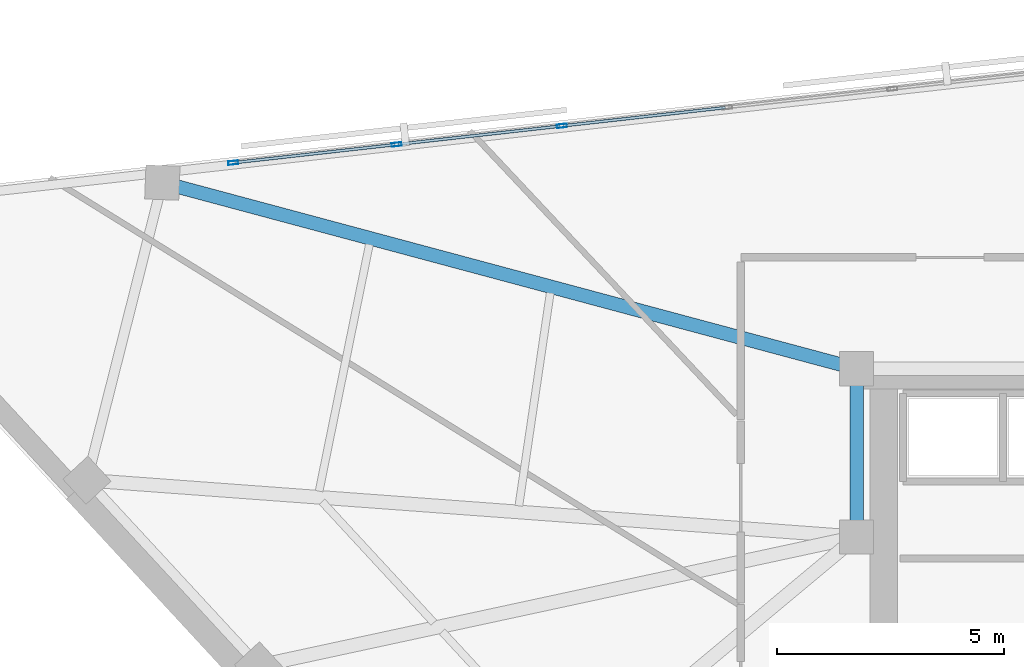
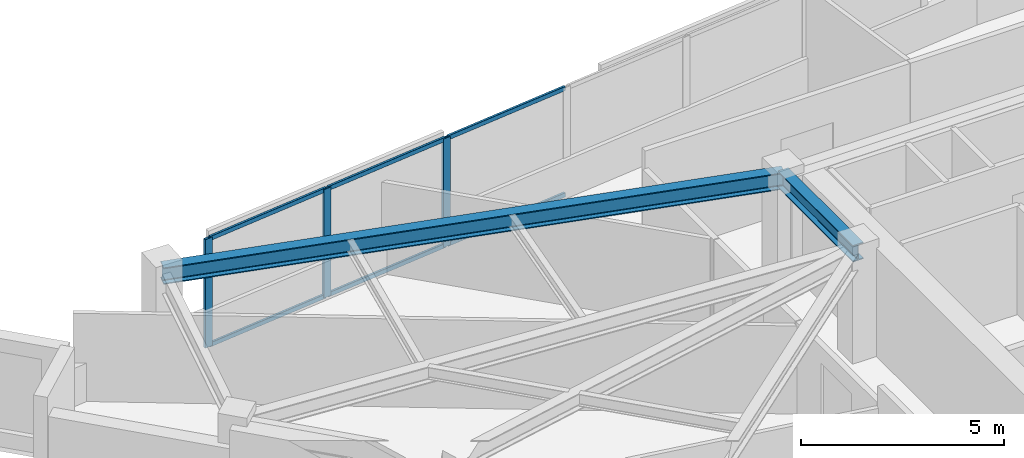
# One storey, part 2 of 11: 9 members, 2 beams, 1 element without a shape of its own.
"""IFC4 building model written with IfcOpenShell, lengths in metres."""

from ifc_helpers import new_model, si_unit, direction, frame, origin, origin_2d, place, context, subcontext, project, spatial, hollow_rectangle, i_section, extrude, material, material_profile, profile_set, type_object, element, aggregate, save


model = new_model("IFC4")

# Units and contexts
model_context = context("Model", 3, precision=1e-05, world=origin(), true_north=direction((0.0, 1.0)))
body_context = subcontext(model_context, "Body", "Model", "MODEL_VIEW")
ifc_project = project(units=[si_unit("LENGTHUNIT", "METRE"), si_unit("AREAUNIT", "SQUARE_METRE"), si_unit("VOLUMEUNIT", "CUBIC_METRE"), si_unit("PLANEANGLEUNIT", "RADIAN"), si_unit("MASSUNIT", "GRAM", prefix="KILO")], contexts=[model_context])

# Site, building, storey
site_placement = place(None, origin())
site = spatial("IfcSite", under=ifc_project, at=site_placement, CompositionType="ELEMENT")
building_placement = place(site_placement, origin())
building = spatial("IfcBuilding", under=site, at=building_placement, Name="Narakoshi Arena Tower", CompositionType="ELEMENT")
storey_placement = place(building_placement, frame((0.0, 0.0, 285.3798828125)))
storey = spatial("IfcBuildingStorey", under=building, at=storey_placement, Name="L78", CompositionType="ELEMENT", Elevation=285.3798828125)

# Beams
ifc_material_1 = material(Name="Structural steel S355J2", Category="steel")
ifc_material_profile_1 = material_profile(ifc_material_1, i_section(OverallWidth=0.300048828125, OverallDepth=0.5, WebThickness=0.014404296875, FlangeThickness=0.028076171875, FilletRadius=0.027099609375, at=origin_2d()), Name="HE500B")
ifc_profile_set_1 = profile_set([ifc_material_profile_1], Name="Structural steel S355J2")
beam_type = type_object("IfcBeamType", Name="BM-PRI-500", PredefinedType="BEAM", material=ifc_profile_set_1)
beam_1_placement = place(storey_placement, frame((72.0, 56.5, 3.010009765625), z_axis=(-0.965877018817, 0.259001128418, 0.0), x_axis=(-0.259001128418, -0.965877018817, 0.0)))
element("IfcBeam", 1, at=beam_1_placement, inside=storey, type_object=beam_type, Name="L78 Radial Primary Floor Girder 08", PredefinedType="BEAM", context=body_context, shape_type="SweptSolid", body=[
    extrude(i_section(OverallWidth=0.300048828125, OverallDepth=0.5, WebThickness=0.014404296875, FlangeThickness=0.028076171875, FilletRadius=0.027099609375, at=origin_2d()), origin(), (0.0, 0.0, 1.0), 15.822998046875),
])
beam_2_placement = place(storey_placement, frame((72.0, 52.800048828125, 3.010009765625), z_axis=(0.0, 1.0, 0.0), x_axis=(-1.0, 0.0, 0.0)))
element("IfcBeam", 2, at=beam_2_placement, inside=storey, type_object=beam_type, Name="L78 Core Perimeter Frame Beam CC4-CC5", PredefinedType="BEAM", context=body_context, shape_type="SweptSolid", body=[
    extrude(i_section(OverallWidth=0.300048828125, OverallDepth=0.5, WebThickness=0.014404296875, FlangeThickness=0.028076171875, FilletRadius=0.027099609375, at=origin_2d()), origin(), (0.0, 0.0, 1.0), 3.699951171875),
])

# Curtain wall, members
ifc_material_2 = material(Name="Anodised bronze aluminium 6063-T6", Category="aluminium")
curtain_wall_type = type_object("IfcCurtainWallType", Name="CW-HYP-HIGH", PredefinedType="NOTDEFINED", material=ifc_material_2)
curtain_wall_placement = place(storey_placement, origin())
curtain_wall = element("IfcCurtainWall", 3, at=curtain_wall_placement, inside=storey, type_object=curtain_wall_type, Name="L78 Folded Hypotenuse Curtain Wall 2-1", PredefinedType="NOTDEFINED")
ifc_material_profile_2 = material_profile(ifc_material_2, hollow_rectangle(XDim=0.080078125, YDim=0.219970703125, WallThickness=0.0048828125, OuterFilletRadius=0.006103515625, at=origin_2d()), Name="MUL220x80x5")
ifc_profile_set_2 = profile_set([ifc_material_profile_2], Name="Anodised bronze aluminium 6063-T6")
member_type_1 = type_object("IfcMemberType", Name="MEM-MUL-220", PredefinedType="MULLION", material=ifc_profile_set_2)
member_1_placement = place(storey_placement, frame((65.51123046875, 61.845458984375, 0.0), z_axis=(0.0, 0.0, 1.0), x_axis=(0.111396496086, -0.9937760415, 0.0)))
member_1 = element("IfcMember", 4, at=member_1_placement, type_object=member_type_1, Name="CW-03 mullion 5", PredefinedType="MULLION", context=body_context, shape_type="SweptSolid", body=[
    extrude(hollow_rectangle(XDim=0.080078125, YDim=0.219970703125, WallThickness=0.0048828125, OuterFilletRadius=0.006103515625, at=origin_2d()), origin(), (0.0, 0.0, 1.0), 3.260009765625),
])
member_2_placement = place(storey_placement, frame((61.873779296875, 61.437744140625, 0.0), z_axis=(0.0, 0.0, 1.0), x_axis=(0.111396496086, -0.9937760415, 0.0)))
member_2 = element("IfcMember", 5, at=member_2_placement, type_object=member_type_1, Name="CW-03 mullion 6", PredefinedType="MULLION", context=body_context, shape_type="SweptSolid", body=[
    extrude(hollow_rectangle(XDim=0.080078125, YDim=0.219970703125, WallThickness=0.0048828125, OuterFilletRadius=0.006103515625, at=origin_2d()), origin(), (0.0, 0.0, 1.0), 3.260009765625),
])
member_3_placement = place(storey_placement, frame((58.27587890625, 61.034423828125, 0.0), z_axis=(0.0, 0.0, 1.0), x_axis=(0.111396496086, -0.9937760415, 0.0)))
member_3 = element("IfcMember", 6, at=member_3_placement, type_object=member_type_1, Name="CW-03 mullion 7", PredefinedType="MULLION", context=body_context, shape_type="SweptSolid", body=[
    extrude(hollow_rectangle(XDim=0.080078125, YDim=0.219970703125, WallThickness=0.0048828125, OuterFilletRadius=0.006103515625, at=origin_2d()), origin(), (0.0, 0.0, 1.0), 3.260009765625),
])
ifc_material_profile_3 = material_profile(ifc_material_2, hollow_rectangle(XDim=0.06494140625, YDim=0.1298828125, WallThickness=0.00390625, OuterFilletRadius=0.0048828125, at=origin_2d()), Name="TRN130x65x4")
ifc_profile_set_3 = profile_set([ifc_material_profile_3], Name="Anodised bronze aluminium 6063-T6")
member_type_2 = type_object("IfcMemberType", Name="MEM-TRN-130", PredefinedType="USERDEFINED", material=ifc_profile_set_3)
member_4_placement = place(storey_placement, frame((69.109130859375, 62.248779296875, 0.03271484375), z_axis=(-0.99377347748, -0.111419367518, 0.0), x_axis=(0.111419367518, -0.99377347748, 0.0)))
member_4 = element("IfcMember", 7, at=member_4_placement, type_object=member_type_2, Name="CW-03 transom 4.1", ObjectType="TRANSOM", PredefinedType="USERDEFINED", context=body_context, shape_type="SweptSolid", body=[
    extrude(hollow_rectangle(XDim=0.06494140625, YDim=0.1298828125, WallThickness=0.00390625, OuterFilletRadius=0.0048828125, at=origin_2d()), origin(), (0.0, 0.0, 1.0), 3.580322265625),
])
member_5_placement = place(storey_placement, frame((69.109130859375, 62.248779296875, 3.2275390625), z_axis=(-0.99377347748, -0.111419367518, 0.0), x_axis=(0.111419367518, -0.99377347748, 0.0)))
member_5 = element("IfcMember", 8, at=member_5_placement, type_object=member_type_2, Name="CW-03 transom 4.2", ObjectType="TRANSOM", PredefinedType="USERDEFINED", context=body_context, shape_type="SweptSolid", body=[
    extrude(hollow_rectangle(XDim=0.06494140625, YDim=0.1298828125, WallThickness=0.00390625, OuterFilletRadius=0.0048828125, at=origin_2d()), origin(), (0.0, 0.0, 1.0), 3.580322265625),
])
member_6_placement = place(storey_placement, frame((65.471435546875, 61.841064453125, 0.03271484375), z_axis=(-0.99377347748, -0.111419367518, 0.0), x_axis=(0.111419367518, -0.99377347748, 0.0)))
member_6 = element("IfcMember", 9, at=member_6_placement, type_object=member_type_2, Name="CW-03 transom 5.1", ObjectType="TRANSOM", PredefinedType="USERDEFINED", context=body_context, shape_type="SweptSolid", body=[
    extrude(hollow_rectangle(XDim=0.06494140625, YDim=0.1298828125, WallThickness=0.00390625, OuterFilletRadius=0.0048828125, at=origin_2d()), origin(), (0.0, 0.0, 1.0), 3.580322265625),
])
member_7_placement = place(storey_placement, frame((65.471435546875, 61.841064453125, 3.2275390625), z_axis=(-0.99377347748, -0.111419367518, 0.0), x_axis=(0.111419367518, -0.99377347748, 0.0)))
member_7 = element("IfcMember", 10, at=member_7_placement, type_object=member_type_2, Name="CW-03 transom 5.2", ObjectType="TRANSOM", PredefinedType="USERDEFINED", context=body_context, shape_type="SweptSolid", body=[
    extrude(hollow_rectangle(XDim=0.06494140625, YDim=0.1298828125, WallThickness=0.00390625, OuterFilletRadius=0.0048828125, at=origin_2d()), origin(), (0.0, 0.0, 1.0), 3.580322265625),
])
member_8_placement = place(storey_placement, frame((61.833984375, 61.433349609375, 0.03271484375), z_axis=(-0.9937713764, -0.11143810591, 0.0), x_axis=(0.11143810591, -0.9937713764, 0.0)))
member_8 = element("IfcMember", 11, at=member_8_placement, type_object=member_type_2, Name="CW-03 transom 6.1", ObjectType="TRANSOM", PredefinedType="USERDEFINED", context=body_context, shape_type="SweptSolid", body=[
    extrude(hollow_rectangle(XDim=0.06494140625, YDim=0.1298828125, WallThickness=0.00390625, OuterFilletRadius=0.0048828125, at=origin_2d()), origin(), (0.0, 0.0, 1.0), 3.540283203125),
])
member_9_placement = place(storey_placement, frame((61.833984375, 61.433349609375, 3.2275390625), z_axis=(-0.9937713764, -0.11143810591, 0.0), x_axis=(0.11143810591, -0.9937713764, 0.0)))
member_9 = element("IfcMember", 12, at=member_9_placement, type_object=member_type_2, Name="CW-03 transom 6.2", ObjectType="TRANSOM", PredefinedType="USERDEFINED", context=body_context, shape_type="SweptSolid", body=[
    extrude(hollow_rectangle(XDim=0.06494140625, YDim=0.1298828125, WallThickness=0.00390625, OuterFilletRadius=0.0048828125, at=origin_2d()), origin(), (0.0, 0.0, 1.0), 3.540283203125),
])
aggregate(curtain_wall, [member_1, member_2, member_3, member_4, member_5, member_6, member_7, member_8, member_9])

save(model, "model.ifc")
